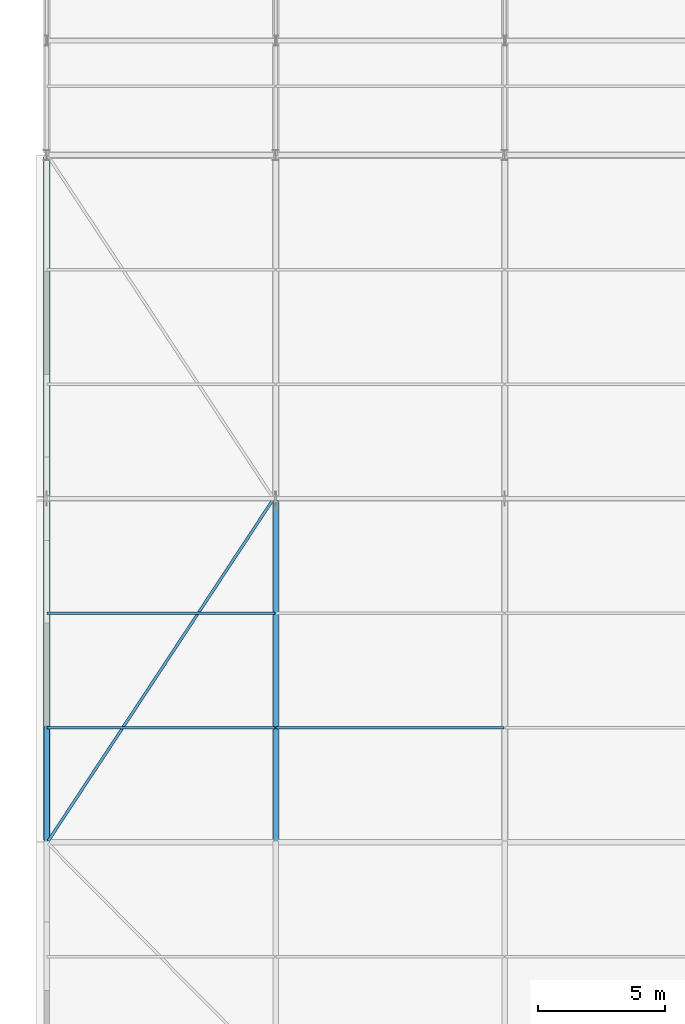
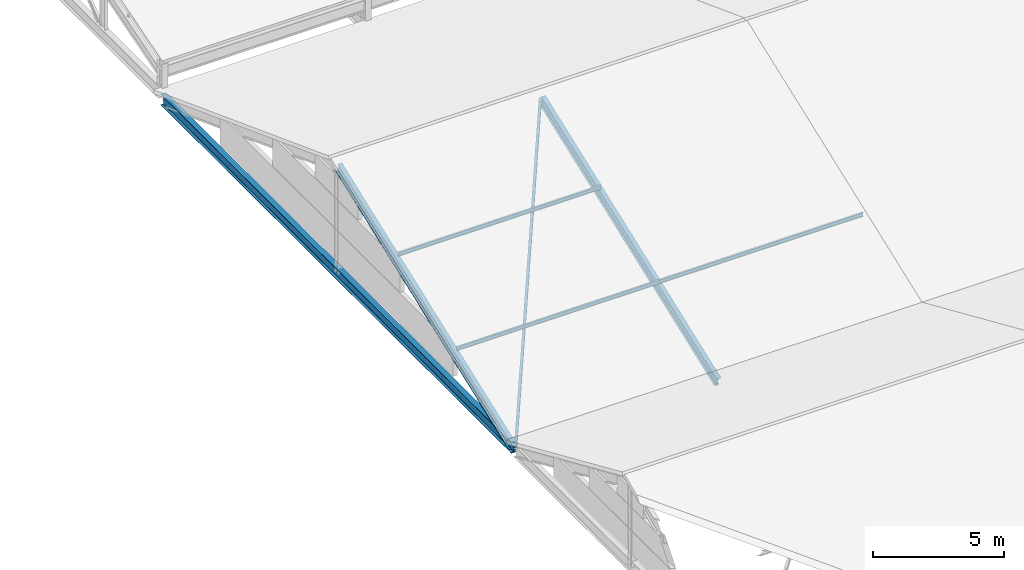
# One storey, part 27 of 163: 6 members, 1 beam.
"""IFC4 building model written with IfcOpenShell, lengths in metres."""

from ifc_helpers import new_model, si_unit, direction, frame, origin, origin_2d, place, context, subcontext, project, spatial, i_section, extrude, material, material_profile, profile_set, type_object, element, save


model = new_model("IFC4")

# Units and contexts
model_context = context("Model", 3, precision=1e-05, world=origin(), true_north=direction((0.0, 1.0)))
body_context = subcontext(model_context, "Body", "Model", "MODEL_VIEW")
ifc_project = project(units=[si_unit("LENGTHUNIT", "METRE"), si_unit("AREAUNIT", "SQUARE_METRE"), si_unit("VOLUMEUNIT", "CUBIC_METRE"), si_unit("PLANEANGLEUNIT", "RADIAN"), si_unit("MASSUNIT", "GRAM", prefix="KILO")], contexts=[model_context])

# Site, building, storey
site_placement = place(None, origin())
site = spatial("IfcSite", under=ifc_project, at=site_placement, CompositionType="ELEMENT")
building_placement = place(site_placement, origin())
building = spatial("IfcBuilding", under=site, at=building_placement, Name="Tharagai Park Tramway Depot", CompositionType="ELEMENT")
storey_placement = place(building_placement, frame((0.0, 0.0, 8.39990234375)))
storey = spatial("IfcBuildingStorey", under=building, at=storey_placement, Name="L02", CompositionType="ELEMENT", Elevation=8.39990234375)

# Beam
ifc_material_1 = material(Name="Steel E350", Category="steel")
ifc_material_profile_1 = material_profile(ifc_material_1, i_section(OverallWidth=0.25, OverallDepth=0.5, WebThickness=0.010009765625, FlangeThickness=0.0146484375, FilletRadius=0.014892578125, at=origin_2d()), Name="ISWB 500")
ifc_profile_set_1 = profile_set([ifc_material_profile_1], Name="Steel E350")
beam_type = type_object("IfcBeamType", Name="BM-08", PredefinedType="BEAM", material=ifc_profile_set_1)
beam_placement = place(storey_placement, frame((0.0, 63.080078125, -0.5), z_axis=(0.0, 1.0, 0.0), x_axis=(-1.0, 0.0, 0.0)))
element("IfcBeam", 1, at=beam_placement, inside=storey, type_object=beam_type, Name="V2B Gable Tie Girder BM-08", PredefinedType="BEAM", context=body_context, shape_type="SweptSolid", body=[
    extrude(i_section(OverallWidth=0.25, OverallDepth=0.5, WebThickness=0.010009765625, FlangeThickness=0.0146484375, FilletRadius=0.014892578125, at=origin_2d()), origin(), (0.0, 0.0, 1.0), 26.83984375),
])

# Members
ifc_material_profile_2 = material_profile(ifc_material_1, i_section(OverallWidth=0.110107421875, OverallDepth=0.22509765625, WebThickness=0.006591796875, FlangeThickness=0.01171875, FilletRadius=0.011962890625, at=origin_2d()), Name="ISMB 225")
ifc_profile_set_2 = profile_set([ifc_material_profile_2], Name="Steel E350")
member_type_1 = type_object("IfcMemberType", Name="BR-04", PredefinedType="BRACE", material=ifc_profile_set_2)
member_placement = place(storey_placement, frame((0.080078125, 63.080078125, -0.5), z_axis=(0.525522954926, 0.797805617167, 0.295519578139), x_axis=(-0.83510413753, 0.550091882762, 0.0)))
element("IfcMember", 2, at=member_placement, inside=storey, type_object=member_type_1, Name="V2B Roof Wind Brace BR-04", PredefinedType="BRACE", context=body_context, shape_type="SweptSolid", body=[
    extrude(i_section(OverallWidth=0.110107421875, OverallDepth=0.22509765625, WebThickness=0.006591796875, FlangeThickness=0.01171875, FilletRadius=0.011962890625, at=origin_2d()), origin(), (0.0, 0.0, 1.0), 16.821044921875),
])
ifc_material_2 = material(Name="Steel E250", Category="steel")
ifc_material_profile_3 = material_profile(ifc_material_2, i_section(OverallWidth=0.090087890625, OverallDepth=0.175048828125, WebThickness=0.005615234375, FlangeThickness=0.009033203125, FilletRadius=0.010009765625, at=origin_2d()), Name="ISMB 175")
ifc_profile_set_3 = profile_set([ifc_material_profile_3], Name="Steel E250")
member_type_2 = type_object("IfcMemberType", Name="PR-01", PredefinedType="PURLIN", material=ifc_profile_set_3)
for number, where, z_axis, x_axis, name in (
    (3, (0.02001953125, 67.5, 1.398681640625), (1.0, 0.0, 0.0), (0.0, 1.0, 0.0), "V2B Roof Purlin PR-01"),
    (4, (0.02001953125, 72.0, 3.0810546875), (1.0, 0.0, 0.0), (0.0, 1.0, 0.0), "V2B Roof Purlin PR-01"),
    (5, (9.02001953125, 67.5, 1.398681640625), (1.0, 0.0, 0.0), (0.0, 1.0, 0.0), "V2B Roof Purlin PR-01"),
):
    element("IfcMember", number, at=place(storey_placement, frame(where, z_axis=z_axis, x_axis=x_axis)), inside=storey, type_object=member_type_2, Name=name, PredefinedType="PURLIN", context=body_context, shape_type="SweptSolid", body=[
        extrude(i_section(OverallWidth=0.090087890625, OverallDepth=0.175048828125, WebThickness=0.005615234375, FlangeThickness=0.009033203125, FilletRadius=0.010009765625, at=origin_2d()), origin(), (0.0, 0.0, 1.0), 8.9599609375),
    ])
ifc_material_profile_4 = material_profile(ifc_material_1, i_section(OverallWidth=0.199951171875, OverallDepth=0.449951171875, WebThickness=0.00927734375, FlangeThickness=0.015380859375, FilletRadius=0.014892578125, at=origin_2d()), Name="ISWB 450")
ifc_profile_set_4 = profile_set([ifc_material_profile_4], Name="Steel E350")
member_type_3 = type_object("IfcMemberType", Name="RF-03", PredefinedType="RAFTER", material=ifc_profile_set_4)
for number, where, z_axis, x_axis, name in (
    (6, (0.0, 63.050048828125, -0.601318359375), (0.0, 0.936246041069, 0.35134505914), (-1.0, 0.0, 0.0), "V2B Pitched Rafter RF-03 South"),
    (7, (9.0, 63.050048828125, -0.601318359375), (0.0, 0.936246041069, 0.35134505914), (-1.0, 0.0, 0.0), "V2B Pitched Rafter RF-03 South"),
):
    element("IfcMember", number, at=place(storey_placement, frame(where, z_axis=z_axis, x_axis=x_axis)), inside=storey, type_object=member_type_3, Name=name, PredefinedType="RAFTER", context=body_context, shape_type="SweptSolid", body=[
        extrude(i_section(OverallWidth=0.199951171875, OverallDepth=0.449951171875, WebThickness=0.00927734375, FlangeThickness=0.015380859375, FilletRadius=0.014892578125, at=origin_2d()), origin(), (0.0, 0.0, 1.0), 14.36572265625),
    ])

save(model, "model.ifc")
